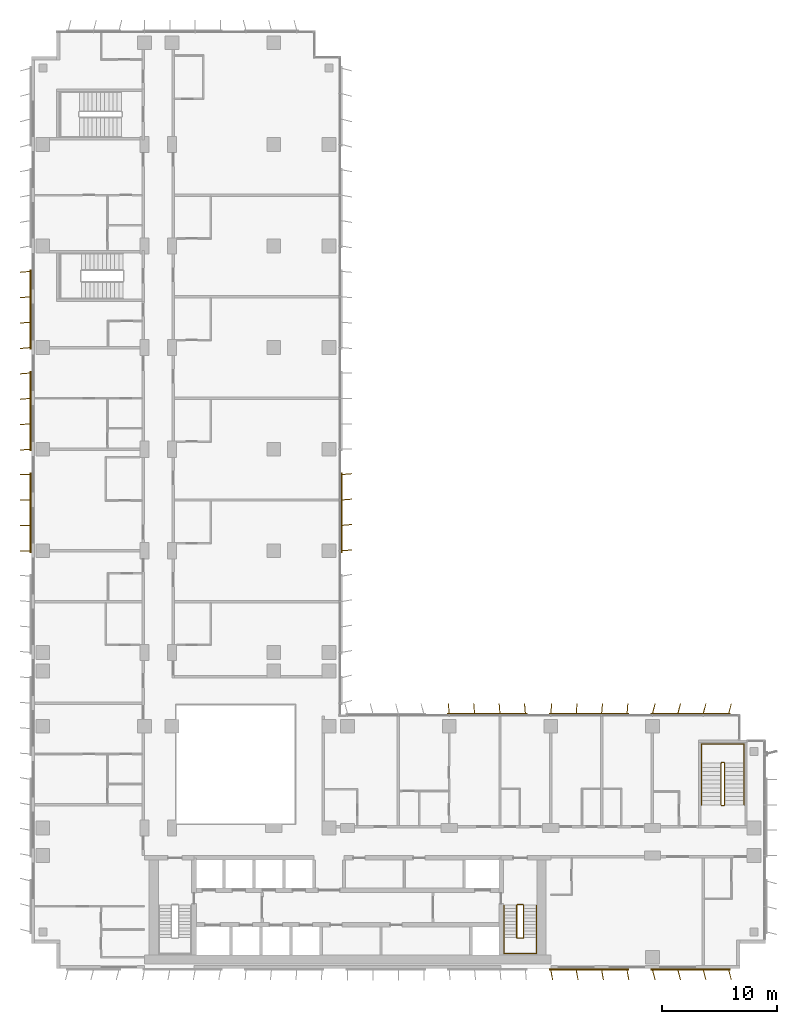
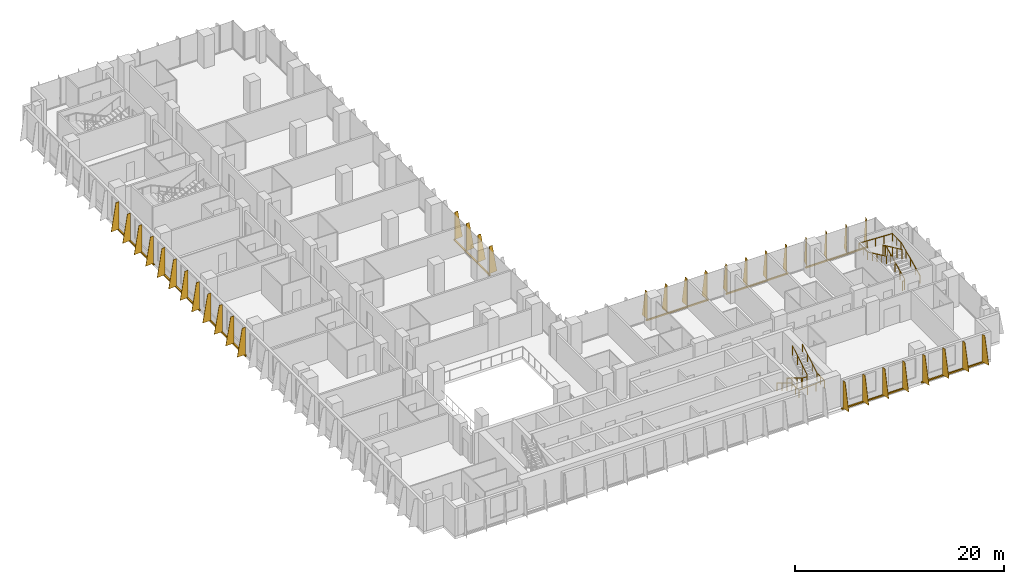
# One storey, part 20 of 22: 9 shading devices, 4 railings.
"""IFC4 building model written with IfcOpenShell, lengths in metres."""

from ifc_helpers import new_model, si_unit, direction, frame, origin, origin_2d, place, context, subcontext, project, spatial, polyline, rectangle, circle, outline, extrude, source, transform, mapped, material, layer, layer_set, type_object, element, save


model = new_model("IFC4")

# Units and contexts
model_context = context("Model", 3, precision=1e-05, world=origin(), true_north=direction((0.0, 1.0)))
body_context = subcontext(model_context, "Body", "Model", "MODEL_VIEW")
ifc_project = project(units=[si_unit("LENGTHUNIT", "METRE"), si_unit("AREAUNIT", "SQUARE_METRE"), si_unit("VOLUMEUNIT", "CUBIC_METRE"), si_unit("PLANEANGLEUNIT", "RADIAN"), si_unit("MASSUNIT", "GRAM", prefix="KILO")], contexts=[model_context])

# Site, building, storey
site_placement = place(None, origin())
site = spatial("IfcSite", under=ifc_project, at=site_placement, CompositionType="ELEMENT")
building_placement = place(site_placement, origin())
building = spatial("IfcBuilding", under=site, at=building_placement, Name="Kemantara Hotel Tower", CompositionType="ELEMENT")
storey_placement = place(building_placement, frame((0.0, 0.0, 149.39990234375)))
storey = spatial("IfcBuildingStorey", under=building, at=storey_placement, Name="L36", CompositionType="ELEMENT", Elevation=149.39990234375)

# Railings
ifc_material_1 = material(Name="Stainless steel balustrade", Category="steel")
railing_type_1 = type_object("IfcRailingType", Name="Stair guard 1100 mm", PredefinedType="GUARDRAIL", material=ifc_material_1)
railing_1_placement = place(storey_placement, frame((42.64990234375, 5.5, 3.7001953125)))
element("IfcRailing", 1, at=railing_1_placement, inside=storey, type_object=railing_type_1, Name="L36 ST2 stair guard 1", PredefinedType="GUARDRAIL", context=body_context, shape_type="SweptSolid", body=[
    extrude(circle(Radius=0.02392578125, at=origin_2d()), frame((0.0, 0.0, 1.076171875), z_axis=(0.0, -0.857242210791, -0.514913383045), x_axis=(1.0, 0.0, 0.0)), (0.0, 0.0, 1.0), 3.266357421875),
    extrude(circle(Radius=0.02392578125, at=origin_2d()), frame((0.0, -2.800048828125, -0.60595703125), z_axis=(-0.273006030465, -0.27434429532, -0.922064485248), x_axis=(0.708833529934, -0.705375805398, 0.0)), (0.0, 0.0, 1.0), 0.182373046875),
    extrude(circle(Radius=0.02392578125, at=origin_2d()), frame((-0.0498046875, -2.85009765625, -0.77392578125), z_axis=(-1.0, 0.0, 0.0), x_axis=(0.0, -1.0, 0.0)), (0.0, 0.0, 1.0), 0.5),
    extrude(circle(Radius=0.02392578125, at=origin_2d()), frame((-0.5498046875, -2.85009765625, -0.77392578125), z_axis=(-0.707106781187, 0.707106781187, 0.0), x_axis=(-0.707106781187, -0.707106781187, 0.0)), (0.0, 0.0, 1.0), 0.07080078125),
    extrude(circle(Radius=0.02392578125, at=origin_2d()), frame((-0.599853515625, -2.800048828125, -0.77392578125), z_axis=(0.0, 0.857242210791, -0.514913383045), x_axis=(-1.0, 0.0, 0.0)), (0.0, 0.0, 1.0), 3.266357421875),
    extrude(circle(Radius=0.02392578125, at=origin_2d()), frame((-0.599853515625, 0.0, -2.4560546875), z_axis=(0.274243871929, 0.274243871929, -0.92172696468), x_axis=(-0.707106781187, 0.707106781187, 0.0)), (0.0, 0.0, 1.0), 0.1826171875),
    extrude(circle(Radius=0.02392578125, at=origin_2d()), frame((-0.5498046875, 0.050048828125, -2.6240234375), z_axis=(1.0, 0.0, 0.0), x_axis=(0.0, 1.0, 0.0)), (0.0, 0.0, 1.0), 0.5),
    extrude(circle(Radius=0.02099609375, at=origin_2d()), origin(), (0.0, 0.0, 1.0), 1.052001953125),
    extrude(circle(Radius=0.02099609375, at=origin_2d()), frame((0.0, -0.933349609375, -0.560546875)), (0.0, 0.0, 1.0), 1.052001953125),
    extrude(circle(Radius=0.02099609375, at=origin_2d()), frame((0.0, -1.86669921875, -1.121337890625)), (0.0, 0.0, 1.0), 1.052001953125),
    extrude(circle(Radius=0.02099609375, at=origin_2d()), frame((0.0, -2.800048828125, -1.681884765625)), (0.0, 0.0, 1.0), 1.052001953125),
    extrude(circle(Radius=0.02099609375, at=origin_2d()), frame((-0.0498046875, -2.85009765625, -1.85009765625)), (0.0, 0.0, 1.0), 1.052001953125),
    extrude(circle(Radius=0.02099609375, at=origin_2d()), frame((-0.5498046875, -2.85009765625, -1.85009765625)), (0.0, 0.0, 1.0), 1.052001953125),
    extrude(circle(Radius=0.02099609375, at=origin_2d()), frame((-0.599853515625, -2.800048828125, -1.85009765625)), (0.0, 0.0, 1.0), 1.052001953125),
    extrude(circle(Radius=0.02099609375, at=origin_2d()), frame((-0.599853515625, -1.86669921875, -2.41064453125)), (0.0, 0.0, 1.0), 1.052001953125),
    extrude(circle(Radius=0.02099609375, at=origin_2d()), frame((-0.599853515625, -0.933349609375, -2.971435546875)), (0.0, 0.0, 1.0), 1.052001953125),
    extrude(circle(Radius=0.02099609375, at=origin_2d()), frame((-0.599853515625, 0.0, -3.531982421875)), (0.0, 0.0, 1.0), 1.052001953125),
    extrude(circle(Radius=0.02099609375, at=origin_2d()), frame((-0.5498046875, 0.050048828125, -3.7001953125)), (0.0, 0.0, 1.0), 1.052001953125),
    extrude(circle(Radius=0.02099609375, at=origin_2d()), frame((-0.0498046875, 0.050048828125, -3.7001953125)), (0.0, 0.0, 1.0), 1.052001953125),
])
railing_2_placement = place(storey_placement, frame((59.75, 14.199951171875, 3.7001953125)))
element("IfcRailing", 2, at=railing_2_placement, inside=storey, type_object=railing_type_1, Name="L36 ST3 stair guard 1", PredefinedType="GUARDRAIL", context=body_context, shape_type="SweptSolid", body=[
    extrude(circle(Radius=0.02392578125, at=origin_2d()), frame((0.0, 0.0, 1.076171875), z_axis=(0.0, 0.906005689286, -0.423265508849), x_axis=(-1.0, 0.0, 0.0)), (0.0, 0.0, 1.0), 3.9736328125),
    extrude(circle(Radius=0.02392578125, at=origin_2d()), frame((0.0, 3.60009765625, -0.60595703125), z_axis=(0.274243871929, 0.274243871929, -0.92172696468), x_axis=(-0.707106781187, 0.707106781187, 0.0)), (0.0, 0.0, 1.0), 0.1826171875),
    extrude(circle(Radius=0.02392578125, at=origin_2d()), frame((0.050048828125, 3.650146484375, -0.77392578125), z_axis=(1.0, 0.0, 0.0), x_axis=(0.0, 1.0, 0.0)), (0.0, 0.0, 1.0), 0.199951171875),
    extrude(circle(Radius=0.02392578125, at=origin_2d()), frame((0.25, 3.650146484375, -0.77392578125), z_axis=(0.707106781187, -0.707106781187, 0.0), x_axis=(0.707106781187, 0.707106781187, 0.0)), (0.0, 0.0, 1.0), 0.07080078125),
    extrude(circle(Radius=0.02392578125, at=origin_2d()), frame((0.300048828125, 3.60009765625, -0.77392578125), z_axis=(0.0, -0.906005689286, -0.423265508849), x_axis=(1.0, 0.0, 0.0)), (0.0, 0.0, 1.0), 3.9736328125),
    extrude(circle(Radius=0.02392578125, at=origin_2d()), frame((0.300048828125, 0.0, -2.4560546875), z_axis=(-0.274243871929, -0.274243871929, -0.92172696468), x_axis=(0.707106781187, -0.707106781187, 0.0)), (0.0, 0.0, 1.0), 0.1826171875),
    extrude(circle(Radius=0.02392578125, at=origin_2d()), frame((0.25, -0.050048828125, -2.6240234375), z_axis=(-1.0, 0.0, 0.0), x_axis=(0.0, -1.0, 0.0)), (0.0, 0.0, 1.0), 0.199951171875),
    extrude(circle(Radius=0.02099609375, at=origin_2d()), origin(), (0.0, 0.0, 1.0), 1.052001953125),
    extrude(circle(Radius=0.02099609375, at=origin_2d()), frame((0.0, 0.89990234375, -0.42041015625)), (0.0, 0.0, 1.0), 1.052001953125),
    extrude(circle(Radius=0.02099609375, at=origin_2d()), frame((0.0, 1.800048828125, -0.8408203125)), (0.0, 0.0, 1.0), 1.052001953125),
    extrude(circle(Radius=0.02099609375, at=origin_2d()), frame((0.0, 2.7001953125, -1.261474609375)), (0.0, 0.0, 1.0), 1.052001953125),
    extrude(circle(Radius=0.02099609375, at=origin_2d()), frame((0.0, 3.60009765625, -1.681884765625)), (0.0, 0.0, 1.0), 1.052001953125),
    extrude(circle(Radius=0.02099609375, at=origin_2d()), frame((0.050048828125, 3.650146484375, -1.85009765625)), (0.0, 0.0, 1.0), 1.052001953125),
    extrude(circle(Radius=0.02099609375, at=origin_2d()), frame((0.25, 3.650146484375, -1.85009765625)), (0.0, 0.0, 1.0), 1.052001953125),
    extrude(circle(Radius=0.02099609375, at=origin_2d()), frame((0.300048828125, 3.60009765625, -1.85009765625)), (0.0, 0.0, 1.0), 1.052001953125),
    extrude(circle(Radius=0.02099609375, at=origin_2d()), frame((0.300048828125, 2.7001953125, -2.2705078125)), (0.0, 0.0, 1.0), 1.052001953125),
    extrude(circle(Radius=0.02099609375, at=origin_2d()), frame((0.300048828125, 1.800048828125, -2.69091796875)), (0.0, 0.0, 1.0), 1.052001953125),
    extrude(circle(Radius=0.02099609375, at=origin_2d()), frame((0.300048828125, 0.89990234375, -3.111572265625)), (0.0, 0.0, 1.0), 1.052001953125),
    extrude(circle(Radius=0.02099609375, at=origin_2d()), frame((0.300048828125, 0.0, -3.531982421875)), (0.0, 0.0, 1.0), 1.052001953125),
    extrude(circle(Radius=0.02099609375, at=origin_2d()), frame((0.25, -0.050048828125, -3.7001953125)), (0.0, 0.0, 1.0), 1.052001953125),
    extrude(circle(Radius=0.02099609375, at=origin_2d()), frame((0.050048828125, -0.050048828125, -3.7001953125)), (0.0, 0.0, 1.0), 1.052001953125),
])
railing_type_2 = type_object("IfcRailingType", Name="Stair handrail 900 mm", PredefinedType="HANDRAIL", material=ifc_material_1)
railing_3_placement = place(storey_placement, frame((40.949951171875, 5.5, 0.168212890625)))
element("IfcRailing", 3, at=railing_3_placement, inside=storey, type_object=railing_type_2, Name="L36 ST2 stair handrail 1", PredefinedType="HANDRAIL", context=body_context, shape_type="SweptSolid", body=[
    extrude(circle(Radius=0.02392578125, at=origin_2d()), frame((0.0, 0.0, 0.8759765625), z_axis=(0.0, -0.857242210791, 0.514913383045), x_axis=(1.0, 0.0, 0.0)), (0.0, 0.0, 1.0), 3.266357421875),
    extrude(circle(Radius=0.02392578125, at=origin_2d()), frame((0.0, -2.800048828125, 2.5576171875), z_axis=(0.0, -1.0, 0.0), x_axis=(1.0, 0.0, 0.0)), (0.0, 0.0, 1.0), 1.3798828125),
    extrude(circle(Radius=0.02392578125, at=origin_2d()), frame((0.0, -4.179931640625, 2.5576171875), z_axis=(0.998200367801, 0.0, 0.059966871865), x_axis=(0.0, 1.0, 0.0)), (0.0, 0.0, 1.0), 2.80517578125),
    extrude(circle(Radius=0.02392578125, at=origin_2d()), frame((2.800048828125, -4.179931640625, 2.72607421875), z_axis=(0.0, 1.0, 0.0), x_axis=(-1.0, 0.0, 0.0)), (0.0, 0.0, 1.0), 1.3798828125),
    extrude(circle(Radius=0.02392578125, at=origin_2d()), frame((2.800048828125, -2.800048828125, 2.72607421875), z_axis=(0.0, 0.857242210791, 0.514913383045), x_axis=(-1.0, 0.0, 0.0)), (0.0, 0.0, 1.0), 3.266357421875),
    extrude(circle(Radius=0.02099609375, at=origin_2d()), origin(), (0.0, 0.0, 1.0), 0.851806640625),
    extrude(circle(Radius=0.02099609375, at=origin_2d()), frame((0.0, -0.933349609375, 0.560546875)), (0.0, 0.0, 1.0), 0.851806640625),
    extrude(circle(Radius=0.02099609375, at=origin_2d()), frame((0.0, -1.86669921875, 1.121337890625)), (0.0, 0.0, 1.0), 0.851806640625),
    extrude(circle(Radius=0.02099609375, at=origin_2d()), frame((0.0, -2.800048828125, 1.681884765625)), (0.0, 0.0, 1.0), 0.851806640625),
    extrude(circle(Radius=0.02099609375, at=origin_2d()), frame((0.0, -3.489990234375, 1.681884765625)), (0.0, 0.0, 1.0), 0.851806640625),
    extrude(circle(Radius=0.02099609375, at=origin_2d()), frame((0.0, -4.179931640625, 1.681884765625)), (0.0, 0.0, 1.0), 0.851806640625),
    extrude(circle(Radius=0.02099609375, at=origin_2d()), frame((0.933349609375, -4.179931640625, 1.738037109375)), (0.0, 0.0, 1.0), 0.851806640625),
    extrude(circle(Radius=0.02099609375, at=origin_2d()), frame((1.86669921875, -4.179931640625, 1.7939453125)), (0.0, 0.0, 1.0), 0.851806640625),
    extrude(circle(Radius=0.02099609375, at=origin_2d()), frame((2.800048828125, -4.179931640625, 1.85009765625)), (0.0, 0.0, 1.0), 0.851806640625),
    extrude(circle(Radius=0.02099609375, at=origin_2d()), frame((2.800048828125, -3.489990234375, 1.85009765625)), (0.0, 0.0, 1.0), 0.851806640625),
    extrude(circle(Radius=0.02099609375, at=origin_2d()), frame((2.800048828125, -2.800048828125, 1.85009765625)), (0.0, 0.0, 1.0), 0.851806640625),
    extrude(circle(Radius=0.02099609375, at=origin_2d()), frame((2.800048828125, -1.86669921875, 2.41064453125)), (0.0, 0.0, 1.0), 0.851806640625),
    extrude(circle(Radius=0.02099609375, at=origin_2d()), frame((2.800048828125, -0.933349609375, 2.971435546875)), (0.0, 0.0, 1.0), 0.851806640625),
    extrude(circle(Radius=0.02099609375, at=origin_2d()), frame((2.800048828125, 0.0, 3.531982421875)), (0.0, 0.0, 1.0), 0.851806640625),
])
railing_4_placement = place(storey_placement, frame((61.75, 14.199951171875, 0.168212890625)))
element("IfcRailing", 4, at=railing_4_placement, inside=storey, type_object=railing_type_2, Name="L36 ST3 stair handrail 1", PredefinedType="HANDRAIL", context=body_context, shape_type="SweptSolid", body=[
    extrude(circle(Radius=0.02392578125, at=origin_2d()), frame((0.0, 0.0, 0.8759765625), z_axis=(0.0, 0.906005689286, 0.423265508849), x_axis=(-1.0, 0.0, 0.0)), (0.0, 0.0, 1.0), 3.9736328125),
    extrude(circle(Radius=0.02392578125, at=origin_2d()), frame((0.0, 3.60009765625, 2.5576171875), z_axis=(0.0, 1.0, 0.0), x_axis=(-1.0, 0.0, 0.0)), (0.0, 0.0, 1.0), 1.679931640625),
    extrude(circle(Radius=0.02392578125, at=origin_2d()), frame((0.0, 5.280029296875, 2.5576171875), z_axis=(-0.998968132438, 0.0, 0.045416631029), x_axis=(0.0, -1.0, 0.0)), (0.0, 0.0, 1.0), 3.703857421875),
    extrude(circle(Radius=0.02392578125, at=origin_2d()), frame((-3.699951171875, 5.280029296875, 2.72607421875), z_axis=(0.0, -1.0, 0.0), x_axis=(1.0, 0.0, 0.0)), (0.0, 0.0, 1.0), 1.679931640625),
    extrude(circle(Radius=0.02392578125, at=origin_2d()), frame((-3.699951171875, 3.60009765625, 2.72607421875), z_axis=(0.0, -0.906005689286, 0.423265508849), x_axis=(1.0, 0.0, 0.0)), (0.0, 0.0, 1.0), 3.9736328125),
    extrude(circle(Radius=0.02099609375, at=origin_2d()), origin(), (0.0, 0.0, 1.0), 0.851806640625),
    extrude(circle(Radius=0.02099609375, at=origin_2d()), frame((0.0, 0.89990234375, 0.42041015625)), (0.0, 0.0, 1.0), 0.851806640625),
    extrude(circle(Radius=0.02099609375, at=origin_2d()), frame((0.0, 1.800048828125, 0.8408203125)), (0.0, 0.0, 1.0), 0.851806640625),
    extrude(circle(Radius=0.02099609375, at=origin_2d()), frame((0.0, 2.7001953125, 1.261474609375)), (0.0, 0.0, 1.0), 0.851806640625),
    extrude(circle(Radius=0.02099609375, at=origin_2d()), frame((0.0, 3.60009765625, 1.681884765625)), (0.0, 0.0, 1.0), 0.851806640625),
    extrude(circle(Radius=0.02099609375, at=origin_2d()), frame((0.0, 4.43994140625, 1.681884765625)), (0.0, 0.0, 1.0), 0.851806640625),
    extrude(circle(Radius=0.02099609375, at=origin_2d()), frame((0.0, 5.280029296875, 1.681884765625)), (0.0, 0.0, 1.0), 0.851806640625),
    extrude(circle(Radius=0.02099609375, at=origin_2d()), frame((-0.925048828125, 5.280029296875, 1.723876953125)), (0.0, 0.0, 1.0), 0.851806640625),
    extrude(circle(Radius=0.02099609375, at=origin_2d()), frame((-1.85009765625, 5.280029296875, 1.76611328125)), (0.0, 0.0, 1.0), 0.851806640625),
    extrude(circle(Radius=0.02099609375, at=origin_2d()), frame((-2.77490234375, 5.280029296875, 1.80810546875)), (0.0, 0.0, 1.0), 0.851806640625),
    extrude(circle(Radius=0.02099609375, at=origin_2d()), frame((-3.699951171875, 5.280029296875, 1.85009765625)), (0.0, 0.0, 1.0), 0.851806640625),
    extrude(circle(Radius=0.02099609375, at=origin_2d()), frame((-3.699951171875, 4.43994140625, 1.85009765625)), (0.0, 0.0, 1.0), 0.851806640625),
    extrude(circle(Radius=0.02099609375, at=origin_2d()), frame((-3.699951171875, 3.60009765625, 1.85009765625)), (0.0, 0.0, 1.0), 0.851806640625),
    extrude(circle(Radius=0.02099609375, at=origin_2d()), frame((-3.699951171875, 2.7001953125, 2.2705078125)), (0.0, 0.0, 1.0), 0.851806640625),
    extrude(circle(Radius=0.02099609375, at=origin_2d()), frame((-3.699951171875, 1.800048828125, 2.69091796875)), (0.0, 0.0, 1.0), 0.851806640625),
    extrude(circle(Radius=0.02099609375, at=origin_2d()), frame((-3.699951171875, 0.89990234375, 3.111572265625)), (0.0, 0.0, 1.0), 0.851806640625),
    extrude(circle(Radius=0.02099609375, at=origin_2d()), frame((-3.699951171875, 0.0, 3.531982421875)), (0.0, 0.0, 1.0), 0.851806640625),
])

# Shading devices
ifc_material_2 = material(Name="Perforated aluminium plate 4 mm bronze anodised", Category="aluminium")
ifc_layer_1 = layer(ifc_material_2, 0.0400390625)
ifc_layer_set_1 = layer_set([ifc_layer_1], Name="Perforated aluminium plate 4 mm bronze anodised")
shading_device_type_1 = type_object("IfcShadingDeviceType", Name="SCREEN FIN CASSETTE, 4 BLADES AT -5.0 DEG, 3200 HIGH", PredefinedType="USERDEFINED", material=ifc_layer_set_1)
shared_shape_1 = source(origin(), body_context, "Body", "SweptSolid", [
    extrude(rectangle(XDim=6.89990234375, YDim=0.14990234375, at=origin_2d()), frame((3.300048828125, -0.074951171875, -0.14990234375), z_axis=(0.0, 0.0, 1.0), x_axis=(1.0, 0.0, 0.0)), (0.0, 0.0, 1.0), 0.14990234375),
    extrude(outline(polyline([(0.0, 0.0), (0.89990234375, 0.0), (0.35009765625, 3.199951171875), (0.0, 3.199951171875), (0.0, 0.0)])), frame((0.02001953125, -0.07666015625, 0.0), z_axis=(-0.996376129781, 0.085056498884, 0.0), x_axis=(-0.085056498884, -0.996376129781, 0.0)), (0.0, 0.0, 1.0), 0.040283203125),
    extrude(outline(polyline([(0.0, 0.0), (0.89990234375, 0.0), (0.35009765625, 3.199951171875), (0.0, 3.199951171875), (0.0, 0.0)])), frame((2.219970703125, -0.07666015625, 0.0), z_axis=(-0.996331773833, 0.085574508182, 0.0), x_axis=(-0.085574508182, -0.996331773833, 0.0)), (0.0, 0.0, 1.0), 0.0400390625),
    extrude(outline(polyline([(0.0, 0.0), (0.89990234375, 0.0), (0.35009765625, 3.199951171875), (0.0, 3.199951171875), (0.0, 0.0)])), frame((4.419921875, -0.07666015625, 0.0), z_axis=(-0.996331773833, 0.085574508182, 0.0), x_axis=(-0.085574508182, -0.996331773833, 0.0)), (0.0, 0.0, 1.0), 0.0400390625),
    extrude(outline(polyline([(0.0, 0.0), (0.89990234375, 0.0), (0.35009765625, 3.199951171875), (0.0, 3.199951171875), (0.0, 0.0)])), frame((6.619873046875, -0.07666015625, 0.0), z_axis=(-0.996331773833, 0.085574508182, 0.0), x_axis=(-0.085574508182, -0.996331773833, 0.0)), (0.0, 0.0, 1.0), 0.0400390625),
])
shading_device_1_placement = place(storey_placement, frame((51.60009765625, 22.0, 0.10009765625), z_axis=(0.0, 0.0, 1.0), x_axis=(-1.0, 0.0, 0.0)))
element("IfcShadingDevice", 5, at=shading_device_1_placement, inside=storey, type_object=shading_device_type_1, Name="SCREEN FIN CASSETTE L36 T2-R13-2", ObjectType="SCREEN FIN", PredefinedType="USERDEFINED", context=body_context, shape_type="MappedRepresentation", body=[
    mapped(shared_shape_1, transform((0.0, 0.0, 0.0))),
])
ifc_layer_2 = layer(ifc_material_2, 0.0400390625)
ifc_layer_set_2 = layer_set([ifc_layer_2], Name="Perforated aluminium plate 4 mm bronze anodised")
shading_device_type_2 = type_object("IfcShadingDeviceType", Name="SCREEN FIN CASSETTE, 4 BLADES AT +0.0 DEG, 3200 HIGH", PredefinedType="USERDEFINED", material=ifc_layer_set_2)
shared_shape_2 = source(origin(), body_context, "Body", "SweptSolid", [
    extrude(rectangle(XDim=6.89990234375, YDim=0.14990234375, at=origin_2d()), frame((3.300048828125, -0.074951171875, -0.14990234375), z_axis=(0.0, 0.0, 1.0), x_axis=(1.0, 0.0, 0.0)), (0.0, 0.0, 1.0), 0.14990234375),
    extrude(outline(polyline([(0.0, 0.0), (0.89990234375, 0.0), (0.35009765625, 3.199951171875), (0.0, 3.199951171875), (0.0, 0.0)])), frame((0.02001953125, -0.074951171875, 0.0), z_axis=(-1.0, 0.0, 0.0), x_axis=(0.0, -1.0, 0.0)), (0.0, 0.0, 1.0), 0.0400390625),
    extrude(outline(polyline([(0.0, 0.0), (0.89990234375, 0.0), (0.35009765625, 3.199951171875), (0.0, 3.199951171875), (0.0, 0.0)])), frame((2.219970703125, -0.074951171875, 0.0), z_axis=(-1.0, 0.0, 0.0), x_axis=(0.0, -1.0, 0.0)), (0.0, 0.0, 1.0), 0.0400390625),
    extrude(outline(polyline([(0.0, 0.0), (0.89990234375, 0.0), (0.35009765625, 3.199951171875), (0.0, 3.199951171875), (0.0, 0.0)])), frame((4.419921875, -0.074951171875, 0.0), z_axis=(-1.0, 0.0, 0.0), x_axis=(0.0, -1.0, 0.0)), (0.0, 0.0, 1.0), 0.0400390625),
    extrude(outline(polyline([(0.0, 0.0), (0.89990234375, 0.0), (0.35009765625, 3.199951171875), (0.0, 3.199951171875), (0.0, 0.0)])), frame((6.6201171875, -0.074951171875, 0.0), z_axis=(-1.0, 0.0, 0.0), x_axis=(0.0, -1.0, 0.0)), (0.0, 0.0, 1.0), 0.0400390625),
])
shading_device_2_placement = place(storey_placement, frame((0.0, 42.800048828125, 0.10009765625), z_axis=(0.0, 0.0, 1.0), x_axis=(0.0, -1.0, 0.0)))
element("IfcShadingDevice", 6, at=shading_device_2_placement, inside=storey, type_object=shading_device_type_2, Name="SCREEN FIN CASSETTE L36 T2-R04-5", ObjectType="SCREEN FIN", PredefinedType="USERDEFINED", context=body_context, shape_type="MappedRepresentation", body=[
    mapped(shared_shape_2, transform((0.0, 0.0, 0.0))),
])
ifc_layer_3 = layer(ifc_material_2, 0.0400390625)
ifc_layer_set_3 = layer_set([ifc_layer_3], Name="Perforated aluminium plate 4 mm bronze anodised")
shading_device_type_3 = type_object("IfcShadingDeviceType", Name="SCREEN FIN CASSETTE, 4 BLADES AT +5.0 DEG, 3200 HIGH", PredefinedType="USERDEFINED", material=ifc_layer_set_3)
shared_shape_3 = source(origin(), body_context, "Body", "SweptSolid", [
    extrude(rectangle(XDim=6.89990234375, YDim=0.14990234375, at=origin_2d()), frame((3.300048828125, -0.074951171875, -0.14990234375), z_axis=(0.0, 0.0, 1.0), x_axis=(1.0, 0.0, 0.0)), (0.0, 0.0, 1.0), 0.14990234375),
    extrude(outline(polyline([(0.0, 0.0), (0.89990234375, 0.0), (0.35009765625, 3.199951171875), (0.0, 3.199951171875), (0.0, 0.0)])), frame((0.02001953125, -0.0732421875, 0.0), z_axis=(-0.996376129781, -0.085056498884, 0.0), x_axis=(0.085056498884, -0.996376129781, 0.0)), (0.0, 0.0, 1.0), 0.040283203125),
    extrude(outline(polyline([(0.0, 0.0), (0.89990234375, 0.0), (0.35009765625, 3.199951171875), (0.0, 3.199951171875), (0.0, 0.0)])), frame((2.219970703125, -0.0732421875, 0.0), z_axis=(-0.996331773833, -0.085574508182, 0.0), x_axis=(0.085574508182, -0.996331773833, 0.0)), (0.0, 0.0, 1.0), 0.0400390625),
    extrude(outline(polyline([(0.0, 0.0), (0.89990234375, 0.0), (0.35009765625, 3.199951171875), (0.0, 3.199951171875), (0.0, 0.0)])), frame((4.419921875, -0.0732421875, 0.0), z_axis=(-0.996331773833, -0.085574508182, 0.0), x_axis=(0.085574508182, -0.996331773833, 0.0)), (0.0, 0.0, 1.0), 0.0400390625),
    extrude(outline(polyline([(0.0, 0.0), (0.89990234375, 0.0), (0.35009765625, 3.199951171875), (0.0, 3.199951171875), (0.0, 0.0)])), frame((6.619873046875, -0.0732421875, 0.0), z_axis=(-0.996331773833, -0.085574508182, 0.0), x_axis=(0.085574508182, -0.996331773833, 0.0)), (0.0, 0.0, 1.0), 0.0400390625),
])
for number, where, z_axis, x_axis, name in (
    (7, (0.0, 60.39990234375, 0.10009765625), (0.0, 0.0, 1.0), (0.0, -1.0, 0.0), "SCREEN FIN CASSETTE L36 T2-R04-3"),
    (8, (0.0, 51.60009765625, 0.10009765625), (0.0, 0.0, 1.0), (0.0, -1.0, 0.0), "SCREEN FIN CASSETTE L36 T2-R04-4"),
    (9, (42.800048828125, 22.0, 0.10009765625), (0.0, 0.0, 1.0), (-1.0, 0.0, 0.0), "SCREEN FIN CASSETTE L36 T2-R13-3"),
    (10, (26.800048828125, 36.199951171875, 0.10009765625), (0.0, 0.0, 1.0), (0.0, 1.0, 0.0), "SCREEN FIN CASSETTE L36 T2-R14-3"),
):
    element("IfcShadingDevice", number, at=place(storey_placement, frame(where, z_axis=z_axis, x_axis=x_axis)), inside=storey, type_object=shading_device_type_3, Name=name, ObjectType="SCREEN FIN", PredefinedType="USERDEFINED", context=body_context, shape_type="MappedRepresentation", body=[
        mapped(shared_shape_3, transform((0.0, 0.0, 0.0))),
    ])
ifc_layer_4 = layer(ifc_material_2, 0.0400390625)
ifc_layer_set_4 = layer_set([ifc_layer_4], Name="Perforated aluminium plate 4 mm bronze anodised")
shading_device_type_4 = type_object("IfcShadingDeviceType", Name="SCREEN FIN CASSETTE, 4 BLADES AT +10.0 DEG, 3200 HIGH", PredefinedType="USERDEFINED", material=ifc_layer_set_4)
shared_shape_4 = source(origin(), body_context, "Body", "SweptSolid", [
    extrude(rectangle(XDim=6.89990234375, YDim=0.14990234375, at=origin_2d()), frame((3.300048828125, -0.074951171875, -0.14990234375), z_axis=(0.0, 0.0, 1.0), x_axis=(1.0, 0.0, 0.0)), (0.0, 0.0, 1.0), 0.14990234375),
    extrude(outline(polyline([(0.0, 0.0), (0.89990234375, 0.0), (0.35009765625, 3.199951171875), (0.0, 3.199951171875), (0.0, 0.0)])), frame((0.019775390625, -0.071533203125, 0.0), z_axis=(-0.985389793052, -0.170314285219, 0.0), x_axis=(0.170314285219, -0.985389793052, 0.0)), (0.0, 0.0, 1.0), 0.0400390625),
    extrude(outline(polyline([(0.0, 0.0), (0.89990234375, 0.0), (0.35009765625, 3.199951171875), (0.0, 3.199951171875), (0.0, 0.0)])), frame((2.2197265625, -0.071533203125, 0.0), z_axis=(-0.98521175482, -0.171341174751, 0.0), x_axis=(0.171341174751, -0.98521175482, 0.0)), (0.0, 0.0, 1.0), 0.039794921875),
    extrude(outline(polyline([(0.0, 0.0), (0.89990234375, 0.0), (0.35009765625, 3.199951171875), (0.0, 3.199951171875), (0.0, 0.0)])), frame((4.419677734375, -0.071533203125, 0.0), z_axis=(-0.98521175482, -0.171341174751, 0.0), x_axis=(0.171341174751, -0.98521175482, 0.0)), (0.0, 0.0, 1.0), 0.039794921875),
    extrude(outline(polyline([(0.0, 0.0), (0.89990234375, 0.0), (0.35009765625, 3.199951171875), (0.0, 3.199951171875), (0.0, 0.0)])), frame((6.61962890625, -0.071533203125, 0.0), z_axis=(-0.98521175482, -0.171341174751, 0.0), x_axis=(0.171341174751, -0.98521175482, 0.0)), (0.0, 0.0, 1.0), 0.039794921875),
])
shading_device_3_placement = place(storey_placement, frame((45.0, 0.0, 0.10009765625), z_axis=(0.0, 0.0, 1.0), x_axis=(1.0, 0.0, 0.0)))
element("IfcShadingDevice", 11, at=shading_device_3_placement, inside=storey, type_object=shading_device_type_4, Name="SCREEN FIN CASSETTE L36 T2-R07-6", ObjectType="SCREEN FIN", PredefinedType="USERDEFINED", context=body_context, shape_type="MappedRepresentation", body=[
    mapped(shared_shape_4, transform((0.0, 0.0, 0.0))),
])
ifc_layer_5 = layer(ifc_material_2, 0.0400390625)
ifc_layer_set_5 = layer_set([ifc_layer_5], Name="Perforated aluminium plate 4 mm bronze anodised")
shading_device_type_5 = type_object("IfcShadingDeviceType", Name="SCREEN FIN CASSETTE, 4 BLADES AT +15.0 DEG, 3200 HIGH", PredefinedType="USERDEFINED", material=ifc_layer_set_5)
shared_shape_5 = source(origin(), body_context, "Body", "SweptSolid", [
    extrude(rectangle(XDim=6.89990234375, YDim=0.14990234375, at=origin_2d()), frame((3.300048828125, -0.074951171875, -0.14990234375), z_axis=(0.0, 0.0, 1.0), x_axis=(1.0, 0.0, 0.0)), (0.0, 0.0, 1.0), 0.14990234375),
    extrude(outline(polyline([(0.0, 0.0), (0.89990234375, 0.0), (0.35009765625, 3.199951171875), (0.0, 3.199951171875), (0.0, 0.0)])), frame((0.019287109375, -0.06982421875, 0.0), z_axis=(-0.966437683387, -0.256901156343, 0.0), x_axis=(0.256901156343, -0.966437683387, 0.0)), (0.0, 0.0, 1.0), 0.039794921875),
    extrude(outline(polyline([(0.0, 0.0), (0.89990234375, 0.0), (0.35009765625, 3.199951171875), (0.0, 3.199951171875), (0.0, 0.0)])), frame((2.21923828125, -0.06982421875, 0.0), z_axis=(-0.966437683387, -0.256901156343, 0.0), x_axis=(0.256901156343, -0.966437683387, 0.0)), (0.0, 0.0, 1.0), 0.039794921875),
    extrude(outline(polyline([(0.0, 0.0), (0.89990234375, 0.0), (0.35009765625, 3.199951171875), (0.0, 3.199951171875), (0.0, 0.0)])), frame((4.41943359375, -0.06982421875, 0.0), z_axis=(-0.966837822169, -0.255391122837, 0.0), x_axis=(0.255391122837, -0.966837822169, 0.0)), (0.0, 0.0, 1.0), 0.0400390625),
    extrude(outline(polyline([(0.0, 0.0), (0.89990234375, 0.0), (0.35009765625, 3.199951171875), (0.0, 3.199951171875), (0.0, 0.0)])), frame((6.619384765625, -0.06982421875, 0.0), z_axis=(-0.966837822169, -0.255391122837, 0.0), x_axis=(0.255391122837, -0.966837822169, 0.0)), (0.0, 0.0, 1.0), 0.0400390625),
])
shading_device_4_placement = place(storey_placement, frame((53.800048828125, 0.0, 0.10009765625), z_axis=(0.0, 0.0, 1.0), x_axis=(1.0, 0.0, 0.0)))
element("IfcShadingDevice", 12, at=shading_device_4_placement, inside=storey, type_object=shading_device_type_5, Name="SCREEN FIN CASSETTE L36 T2-R07-7", ObjectType="SCREEN FIN", PredefinedType="USERDEFINED", context=body_context, shape_type="MappedRepresentation", body=[
    mapped(shared_shape_5, transform((0.0, 0.0, 0.0))),
])
ifc_layer_6 = layer(ifc_material_2, 0.0400390625)
ifc_layer_set_6 = layer_set([ifc_layer_6], Name="Perforated aluminium plate 4 mm bronze anodised")
shading_device_type_6 = type_object("IfcShadingDeviceType", Name="SCREEN FIN CASSETTE, 4 BLADES AT -15.0 DEG, 3200 HIGH", PredefinedType="USERDEFINED", material=ifc_layer_set_6)
shared_shape_6 = source(origin(), body_context, "Body", "SweptSolid", [
    extrude(rectangle(XDim=6.89990234375, YDim=0.14990234375, at=origin_2d()), frame((3.300048828125, -0.074951171875, -0.14990234375), z_axis=(0.0, 0.0, 1.0), x_axis=(1.0, 0.0, 0.0)), (0.0, 0.0, 1.0), 0.14990234375),
    extrude(outline(polyline([(0.0, 0.0), (0.89990234375, 0.0), (0.35009765625, 3.199951171875), (0.0, 3.199951171875), (0.0, 0.0)])), frame((0.019287109375, -0.080078125, 0.0), z_axis=(-0.966437683387, 0.256901156343, 0.0), x_axis=(-0.256901156343, -0.966437683387, 0.0)), (0.0, 0.0, 1.0), 0.039794921875),
    extrude(outline(polyline([(0.0, 0.0), (0.89990234375, 0.0), (0.35009765625, 3.199951171875), (0.0, 3.199951171875), (0.0, 0.0)])), frame((2.21923828125, -0.080078125, 0.0), z_axis=(-0.966437683387, 0.256901156343, 0.0), x_axis=(-0.256901156343, -0.966437683387, 0.0)), (0.0, 0.0, 1.0), 0.039794921875),
    extrude(outline(polyline([(0.0, 0.0), (0.89990234375, 0.0), (0.35009765625, 3.199951171875), (0.0, 3.199951171875), (0.0, 0.0)])), frame((4.41943359375, -0.080078125, 0.0), z_axis=(-0.966837822169, 0.255391122837, 0.0), x_axis=(-0.255391122837, -0.966837822169, 0.0)), (0.0, 0.0, 1.0), 0.0400390625),
    extrude(outline(polyline([(0.0, 0.0), (0.89990234375, 0.0), (0.35009765625, 3.199951171875), (0.0, 3.199951171875), (0.0, 0.0)])), frame((6.619384765625, -0.080078125, 0.0), z_axis=(-0.966837822169, 0.255391122837, 0.0), x_axis=(-0.255391122837, -0.966837822169, 0.0)), (0.0, 0.0, 1.0), 0.0400390625),
])
shading_device_5_placement = place(storey_placement, frame((60.39990234375, 22.0, 0.10009765625), z_axis=(0.0, 0.0, 1.0), x_axis=(-1.0, 0.0, 0.0)))
element("IfcShadingDevice", 13, at=shading_device_5_placement, inside=storey, type_object=shading_device_type_6, Name="SCREEN FIN CASSETTE L36 T2-R13-1", ObjectType="SCREEN FIN", PredefinedType="USERDEFINED", context=body_context, shape_type="MappedRepresentation", body=[
    mapped(shared_shape_6, transform((0.0, 0.0, 0.0))),
])

save(model, "model.ifc")
